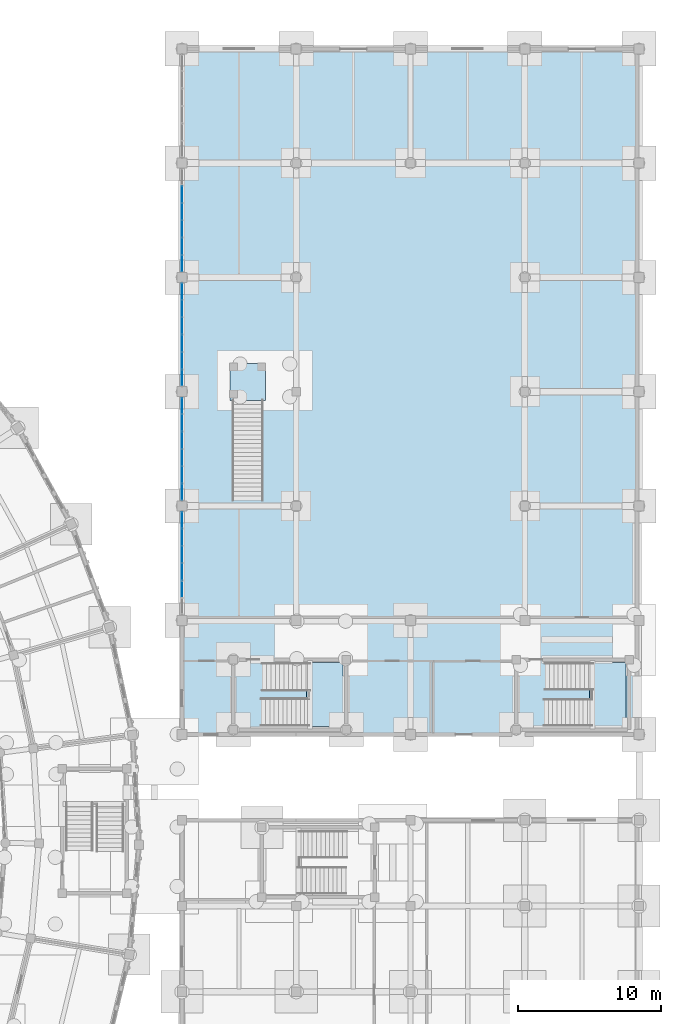
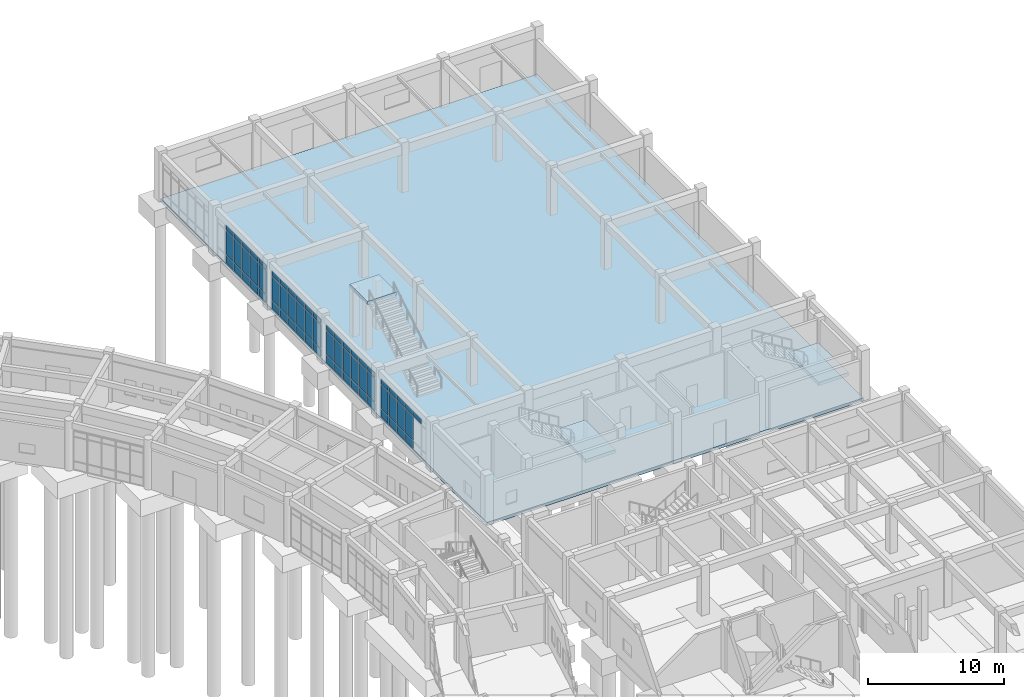
# One storey, part 113 of 153: 64 plates, 4 slabs, 7 elements without a shape of their own.
"""IFC4 building model written with IfcOpenShell, lengths in metres."""

from ifc_helpers import new_model, si_unit, direction, frame, origin, origin_2d, place, context, subcontext, project, spatial, polyline, rectangle, outline, extrude, material, layer, layer_set, type_object, element, aggregate, save


model = new_model("IFC4")

# Units and contexts
model_context = context("Model", 3, precision=1e-05, world=origin(), true_north=direction((0.0, 1.0)))
body_context = subcontext(model_context, "Body", "Model", "MODEL_VIEW")
ifc_project = project(units=[si_unit("LENGTHUNIT", "METRE"), si_unit("AREAUNIT", "SQUARE_METRE"), si_unit("VOLUMEUNIT", "CUBIC_METRE"), si_unit("PLANEANGLEUNIT", "RADIAN"), si_unit("MASSUNIT", "GRAM", prefix="KILO")], contexts=[model_context])

# Site, building, storey
site_placement = place(None, origin())
site = spatial("IfcSite", under=ifc_project, at=site_placement, CompositionType="ELEMENT")
building_placement = place(site_placement, origin())
building = spatial("IfcBuilding", under=site, at=building_placement, Name="Celadon Cloister-Ring School", CompositionType="ELEMENT")
storey_placement = place(building_placement, origin())
storey = spatial("IfcBuildingStorey", under=building, at=storey_placement, Name="L00", CompositionType="ELEMENT", Elevation=0.0)

# Curtain wall, plates
ifc_material_1 = material(Name="Aluminium EN AW-6063 T6", Category="aluminium")
curtain_wall_type = type_object("IfcCurtainWallType", Name="CW-07", PredefinedType="USERDEFINED", material=ifc_material_1)
curtain_wall_1_placement = place(storey_placement, origin())
curtain_wall_1 = element("IfcCurtainWall", 1, at=curtain_wall_1_placement, inside=storey, type_object=curtain_wall_type, Name="Curtain Wall 0175", ObjectType="CURTAIN WALL", PredefinedType="USERDEFINED")
ifc_material_2 = material(Name="Tempered laminated insulating glass", Category="glass")
ifc_layer_1 = layer(ifc_material_2, 0.02001953125)
ifc_layer_set_1 = layer_set([ifc_layer_1], Name="Tempered laminated insulating glass")
plate_type = type_object("IfcPlateType", Name="CPN-01", PredefinedType="CURTAIN_PANEL", material=ifc_layer_set_1)
plate_1_placement = place(storey_placement, frame((142.0, 76.175048828125, 3.044921875), z_axis=(0.0, 0.0, 1.0), x_axis=(0.0, 1.0, 0.0)))
plate_1 = element("IfcPlate", 2, at=plate_1_placement, type_object=plate_type, Name="CW-07 panel 2.3", PredefinedType="CURTAIN_PANEL", context=body_context, shape_type="SweptSolid", body=[
    extrude(rectangle(XDim=1.12158203125, YDim=0.02001953125, at=origin_2d()), origin(), (0.0, 0.0, 1.0), 0.4150390625),
])
plate_2_placement = place(storey_placement, frame((142.0, 77.3916015625, 0.090087890625), z_axis=(0.0, 0.0, 1.0), x_axis=(0.0, 1.0, 0.0)))
plate_2 = element("IfcPlate", 3, at=plate_2_placement, type_object=plate_type, Name="CW-07 panel 3.1", PredefinedType="CURTAIN_PANEL", context=body_context, shape_type="SweptSolid", body=[
    extrude(rectangle(XDim=1.12158203125, YDim=0.02001953125, at=origin_2d()), origin(), (0.0, 0.0, 1.0), 0.6650390625),
])
plate_3_placement = place(storey_placement, frame((142.0, 77.3916015625, 0.8447265625), z_axis=(0.0, 0.0, 1.0), x_axis=(0.0, 1.0, 0.0)))
plate_3 = element("IfcPlate", 4, at=plate_3_placement, type_object=plate_type, Name="CW-07 panel 3.2", PredefinedType="CURTAIN_PANEL", context=body_context, shape_type="SweptSolid", body=[
    extrude(rectangle(XDim=1.12158203125, YDim=0.02001953125, at=origin_2d()), origin(), (0.0, 0.0, 1.0), 2.110107421875),
])
plate_4_placement = place(storey_placement, frame((142.0, 77.3916015625, 3.044921875), z_axis=(0.0, 0.0, 1.0), x_axis=(0.0, 1.0, 0.0)))
plate_4 = element("IfcPlate", 5, at=plate_4_placement, type_object=plate_type, Name="CW-07 panel 3.3", PredefinedType="CURTAIN_PANEL", context=body_context, shape_type="SweptSolid", body=[
    extrude(rectangle(XDim=1.12158203125, YDim=0.02001953125, at=origin_2d()), origin(), (0.0, 0.0, 1.0), 0.4150390625),
])
plate_5_placement = place(storey_placement, frame((142.0, 78.6083984375, 0.090087890625), z_axis=(0.0, 0.0, 1.0), x_axis=(0.0, 1.0, 0.0)))
plate_5 = element("IfcPlate", 6, at=plate_5_placement, type_object=plate_type, Name="CW-07 panel 4.1", PredefinedType="CURTAIN_PANEL", context=body_context, shape_type="SweptSolid", body=[
    extrude(rectangle(XDim=1.12158203125, YDim=0.02001953125, at=origin_2d()), origin(), (0.0, 0.0, 1.0), 0.6650390625),
])
plate_6_placement = place(storey_placement, frame((142.0, 78.6083984375, 0.8447265625), z_axis=(0.0, 0.0, 1.0), x_axis=(0.0, 1.0, 0.0)))
plate_6 = element("IfcPlate", 7, at=plate_6_placement, type_object=plate_type, Name="CW-07 panel 4.2", PredefinedType="CURTAIN_PANEL", context=body_context, shape_type="SweptSolid", body=[
    extrude(rectangle(XDim=1.12158203125, YDim=0.02001953125, at=origin_2d()), origin(), (0.0, 0.0, 1.0), 2.110107421875),
])
plate_7_placement = place(storey_placement, frame((142.0, 78.6083984375, 3.044921875), z_axis=(0.0, 0.0, 1.0), x_axis=(0.0, 1.0, 0.0)))
plate_7 = element("IfcPlate", 8, at=plate_7_placement, type_object=plate_type, Name="CW-07 panel 4.3", PredefinedType="CURTAIN_PANEL", context=body_context, shape_type="SweptSolid", body=[
    extrude(rectangle(XDim=1.12158203125, YDim=0.02001953125, at=origin_2d()), origin(), (0.0, 0.0, 1.0), 0.4150390625),
])
plate_8_placement = place(storey_placement, frame((142.0, 79.824951171875, 0.090087890625), z_axis=(0.0, 0.0, 1.0), x_axis=(0.0, 1.0, 0.0)))
plate_8 = element("IfcPlate", 9, at=plate_8_placement, type_object=plate_type, Name="CW-07 panel 5.1", PredefinedType="CURTAIN_PANEL", context=body_context, shape_type="SweptSolid", body=[
    extrude(rectangle(XDim=1.12158203125, YDim=0.02001953125, at=origin_2d()), origin(), (0.0, 0.0, 1.0), 0.6650390625),
])
plate_9_placement = place(storey_placement, frame((142.0, 79.824951171875, 0.8447265625), z_axis=(0.0, 0.0, 1.0), x_axis=(0.0, 1.0, 0.0)))
plate_9 = element("IfcPlate", 10, at=plate_9_placement, type_object=plate_type, Name="CW-07 panel 5.2", PredefinedType="CURTAIN_PANEL", context=body_context, shape_type="SweptSolid", body=[
    extrude(rectangle(XDim=1.12158203125, YDim=0.02001953125, at=origin_2d()), origin(), (0.0, 0.0, 1.0), 2.110107421875),
])
plate_10_placement = place(storey_placement, frame((142.0, 79.824951171875, 3.044921875), z_axis=(0.0, 0.0, 1.0), x_axis=(0.0, 1.0, 0.0)))
plate_10 = element("IfcPlate", 11, at=plate_10_placement, type_object=plate_type, Name="CW-07 panel 5.3", PredefinedType="CURTAIN_PANEL", context=body_context, shape_type="SweptSolid", body=[
    extrude(rectangle(XDim=1.12158203125, YDim=0.02001953125, at=origin_2d()), origin(), (0.0, 0.0, 1.0), 0.4150390625),
])
plate_11_placement = place(storey_placement, frame((142.0, 81.017822265625, 0.090087890625), z_axis=(0.0, 0.0, 1.0), x_axis=(0.0, 1.0, 0.0)))
plate_11 = element("IfcPlate", 12, at=plate_11_placement, type_object=plate_type, Name="CW-07 panel 6.1", PredefinedType="CURTAIN_PANEL", context=body_context, shape_type="SweptSolid", body=[
    extrude(rectangle(XDim=1.07421875, YDim=0.02001953125, at=origin_2d()), origin(), (0.0, 0.0, 1.0), 0.6650390625),
])
plate_12_placement = place(storey_placement, frame((142.0, 81.017822265625, 0.8447265625), z_axis=(0.0, 0.0, 1.0), x_axis=(0.0, 1.0, 0.0)))
plate_12 = element("IfcPlate", 13, at=plate_12_placement, type_object=plate_type, Name="CW-07 panel 6.2", PredefinedType="CURTAIN_PANEL", context=body_context, shape_type="SweptSolid", body=[
    extrude(rectangle(XDim=1.07421875, YDim=0.02001953125, at=origin_2d()), origin(), (0.0, 0.0, 1.0), 2.110107421875),
])
plate_13_placement = place(storey_placement, frame((142.0, 81.017822265625, 3.044921875), z_axis=(0.0, 0.0, 1.0), x_axis=(0.0, 1.0, 0.0)))
plate_13 = element("IfcPlate", 14, at=plate_13_placement, type_object=plate_type, Name="CW-07 panel 6.3", PredefinedType="CURTAIN_PANEL", context=body_context, shape_type="SweptSolid", body=[
    extrude(rectangle(XDim=1.07421875, YDim=0.02001953125, at=origin_2d()), origin(), (0.0, 0.0, 1.0), 0.4150390625),
])
aggregate(curtain_wall_1, [plate_1, plate_2, plate_3, plate_4, plate_5, plate_6, plate_7, plate_8, plate_9, plate_10, plate_11, plate_12, plate_13])

curtain_wall_2_placement = place(storey_placement, origin())
curtain_wall_2 = element("IfcCurtainWall", 15, at=curtain_wall_2_placement, inside=storey, type_object=curtain_wall_type, Name="Curtain Wall 0176", ObjectType="CURTAIN WALL", PredefinedType="USERDEFINED")
plate_14_placement = place(storey_placement, frame((142.0, 82.982177734375, 0.090087890625), z_axis=(0.0, 0.0, 1.0), x_axis=(0.0, 1.0, 0.0)))
plate_14 = element("IfcPlate", 16, at=plate_14_placement, type_object=plate_type, Name="CW-07 panel 1.1", PredefinedType="CURTAIN_PANEL", context=body_context, shape_type="SweptSolid", body=[
    extrude(rectangle(XDim=1.07421875, YDim=0.02001953125, at=origin_2d()), origin(), (0.0, 0.0, 1.0), 0.6650390625),
])
plate_15_placement = place(storey_placement, frame((142.0, 82.982177734375, 0.8447265625), z_axis=(0.0, 0.0, 1.0), x_axis=(0.0, 1.0, 0.0)))
plate_15 = element("IfcPlate", 17, at=plate_15_placement, type_object=plate_type, Name="CW-07 panel 1.2", PredefinedType="CURTAIN_PANEL", context=body_context, shape_type="SweptSolid", body=[
    extrude(rectangle(XDim=1.07421875, YDim=0.02001953125, at=origin_2d()), origin(), (0.0, 0.0, 1.0), 2.110107421875),
])
plate_16_placement = place(storey_placement, frame((142.0, 82.982177734375, 3.044921875), z_axis=(0.0, 0.0, 1.0), x_axis=(0.0, 1.0, 0.0)))
plate_16 = element("IfcPlate", 18, at=plate_16_placement, type_object=plate_type, Name="CW-07 panel 1.3", PredefinedType="CURTAIN_PANEL", context=body_context, shape_type="SweptSolid", body=[
    extrude(rectangle(XDim=1.07421875, YDim=0.02001953125, at=origin_2d()), origin(), (0.0, 0.0, 1.0), 0.4150390625),
])
plate_17_placement = place(storey_placement, frame((142.0, 84.175048828125, 0.090087890625), z_axis=(0.0, 0.0, 1.0), x_axis=(0.0, 1.0, 0.0)))
plate_17 = element("IfcPlate", 19, at=plate_17_placement, type_object=plate_type, Name="CW-07 panel 2.1", PredefinedType="CURTAIN_PANEL", context=body_context, shape_type="SweptSolid", body=[
    extrude(rectangle(XDim=1.12158203125, YDim=0.02001953125, at=origin_2d()), origin(), (0.0, 0.0, 1.0), 0.6650390625),
])
plate_18_placement = place(storey_placement, frame((142.0, 84.175048828125, 0.8447265625), z_axis=(0.0, 0.0, 1.0), x_axis=(0.0, 1.0, 0.0)))
plate_18 = element("IfcPlate", 20, at=plate_18_placement, type_object=plate_type, Name="CW-07 panel 2.2", PredefinedType="CURTAIN_PANEL", context=body_context, shape_type="SweptSolid", body=[
    extrude(rectangle(XDim=1.12158203125, YDim=0.02001953125, at=origin_2d()), origin(), (0.0, 0.0, 1.0), 2.110107421875),
])
plate_19_placement = place(storey_placement, frame((142.0, 84.175048828125, 3.044921875), z_axis=(0.0, 0.0, 1.0), x_axis=(0.0, 1.0, 0.0)))
plate_19 = element("IfcPlate", 21, at=plate_19_placement, type_object=plate_type, Name="CW-07 panel 2.3", PredefinedType="CURTAIN_PANEL", context=body_context, shape_type="SweptSolid", body=[
    extrude(rectangle(XDim=1.12158203125, YDim=0.02001953125, at=origin_2d()), origin(), (0.0, 0.0, 1.0), 0.4150390625),
])
plate_20_placement = place(storey_placement, frame((142.0, 85.3916015625, 0.090087890625), z_axis=(0.0, 0.0, 1.0), x_axis=(0.0, 1.0, 0.0)))
plate_20 = element("IfcPlate", 22, at=plate_20_placement, type_object=plate_type, Name="CW-07 panel 3.1", PredefinedType="CURTAIN_PANEL", context=body_context, shape_type="SweptSolid", body=[
    extrude(rectangle(XDim=1.12158203125, YDim=0.02001953125, at=origin_2d()), origin(), (0.0, 0.0, 1.0), 0.6650390625),
])
plate_21_placement = place(storey_placement, frame((142.0, 85.3916015625, 0.8447265625), z_axis=(0.0, 0.0, 1.0), x_axis=(0.0, 1.0, 0.0)))
plate_21 = element("IfcPlate", 23, at=plate_21_placement, type_object=plate_type, Name="CW-07 panel 3.2", PredefinedType="CURTAIN_PANEL", context=body_context, shape_type="SweptSolid", body=[
    extrude(rectangle(XDim=1.12158203125, YDim=0.02001953125, at=origin_2d()), origin(), (0.0, 0.0, 1.0), 2.110107421875),
])
plate_22_placement = place(storey_placement, frame((142.0, 85.3916015625, 3.044921875), z_axis=(0.0, 0.0, 1.0), x_axis=(0.0, 1.0, 0.0)))
plate_22 = element("IfcPlate", 24, at=plate_22_placement, type_object=plate_type, Name="CW-07 panel 3.3", PredefinedType="CURTAIN_PANEL", context=body_context, shape_type="SweptSolid", body=[
    extrude(rectangle(XDim=1.12158203125, YDim=0.02001953125, at=origin_2d()), origin(), (0.0, 0.0, 1.0), 0.4150390625),
])
plate_23_placement = place(storey_placement, frame((142.0, 86.6083984375, 0.090087890625), z_axis=(0.0, 0.0, 1.0), x_axis=(0.0, 1.0, 0.0)))
plate_23 = element("IfcPlate", 25, at=plate_23_placement, type_object=plate_type, Name="CW-07 panel 4.1", PredefinedType="CURTAIN_PANEL", context=body_context, shape_type="SweptSolid", body=[
    extrude(rectangle(XDim=1.12158203125, YDim=0.02001953125, at=origin_2d()), origin(), (0.0, 0.0, 1.0), 0.6650390625),
])
plate_24_placement = place(storey_placement, frame((142.0, 86.6083984375, 0.8447265625), z_axis=(0.0, 0.0, 1.0), x_axis=(0.0, 1.0, 0.0)))
plate_24 = element("IfcPlate", 26, at=plate_24_placement, type_object=plate_type, Name="CW-07 panel 4.2", PredefinedType="CURTAIN_PANEL", context=body_context, shape_type="SweptSolid", body=[
    extrude(rectangle(XDim=1.12158203125, YDim=0.02001953125, at=origin_2d()), origin(), (0.0, 0.0, 1.0), 2.110107421875),
])
plate_25_placement = place(storey_placement, frame((142.0, 86.6083984375, 3.044921875), z_axis=(0.0, 0.0, 1.0), x_axis=(0.0, 1.0, 0.0)))
plate_25 = element("IfcPlate", 27, at=plate_25_placement, type_object=plate_type, Name="CW-07 panel 4.3", PredefinedType="CURTAIN_PANEL", context=body_context, shape_type="SweptSolid", body=[
    extrude(rectangle(XDim=1.12158203125, YDim=0.02001953125, at=origin_2d()), origin(), (0.0, 0.0, 1.0), 0.4150390625),
])
plate_26_placement = place(storey_placement, frame((142.0, 87.824951171875, 0.090087890625), z_axis=(0.0, 0.0, 1.0), x_axis=(0.0, 1.0, 0.0)))
plate_26 = element("IfcPlate", 28, at=plate_26_placement, type_object=plate_type, Name="CW-07 panel 5.1", PredefinedType="CURTAIN_PANEL", context=body_context, shape_type="SweptSolid", body=[
    extrude(rectangle(XDim=1.12158203125, YDim=0.02001953125, at=origin_2d()), origin(), (0.0, 0.0, 1.0), 0.6650390625),
])
plate_27_placement = place(storey_placement, frame((142.0, 87.824951171875, 0.8447265625), z_axis=(0.0, 0.0, 1.0), x_axis=(0.0, 1.0, 0.0)))
plate_27 = element("IfcPlate", 29, at=plate_27_placement, type_object=plate_type, Name="CW-07 panel 5.2", PredefinedType="CURTAIN_PANEL", context=body_context, shape_type="SweptSolid", body=[
    extrude(rectangle(XDim=1.12158203125, YDim=0.02001953125, at=origin_2d()), origin(), (0.0, 0.0, 1.0), 2.110107421875),
])
plate_28_placement = place(storey_placement, frame((142.0, 87.824951171875, 3.044921875), z_axis=(0.0, 0.0, 1.0), x_axis=(0.0, 1.0, 0.0)))
plate_28 = element("IfcPlate", 30, at=plate_28_placement, type_object=plate_type, Name="CW-07 panel 5.3", PredefinedType="CURTAIN_PANEL", context=body_context, shape_type="SweptSolid", body=[
    extrude(rectangle(XDim=1.12158203125, YDim=0.02001953125, at=origin_2d()), origin(), (0.0, 0.0, 1.0), 0.4150390625),
])
plate_29_placement = place(storey_placement, frame((142.0, 89.017822265625, 0.090087890625), z_axis=(0.0, 0.0, 1.0), x_axis=(0.0, 1.0, 0.0)))
plate_29 = element("IfcPlate", 31, at=plate_29_placement, type_object=plate_type, Name="CW-07 panel 6.1", PredefinedType="CURTAIN_PANEL", context=body_context, shape_type="SweptSolid", body=[
    extrude(rectangle(XDim=1.07421875, YDim=0.02001953125, at=origin_2d()), origin(), (0.0, 0.0, 1.0), 0.6650390625),
])
plate_30_placement = place(storey_placement, frame((142.0, 89.017822265625, 0.8447265625), z_axis=(0.0, 0.0, 1.0), x_axis=(0.0, 1.0, 0.0)))
plate_30 = element("IfcPlate", 32, at=plate_30_placement, type_object=plate_type, Name="CW-07 panel 6.2", PredefinedType="CURTAIN_PANEL", context=body_context, shape_type="SweptSolid", body=[
    extrude(rectangle(XDim=1.07421875, YDim=0.02001953125, at=origin_2d()), origin(), (0.0, 0.0, 1.0), 2.110107421875),
])
plate_31_placement = place(storey_placement, frame((142.0, 89.017822265625, 3.044921875), z_axis=(0.0, 0.0, 1.0), x_axis=(0.0, 1.0, 0.0)))
plate_31 = element("IfcPlate", 33, at=plate_31_placement, type_object=plate_type, Name="CW-07 panel 6.3", PredefinedType="CURTAIN_PANEL", context=body_context, shape_type="SweptSolid", body=[
    extrude(rectangle(XDim=1.07421875, YDim=0.02001953125, at=origin_2d()), origin(), (0.0, 0.0, 1.0), 0.4150390625),
])
aggregate(curtain_wall_2, [plate_14, plate_15, plate_16, plate_17, plate_18, plate_19, plate_20, plate_21, plate_22, plate_23, plate_24, plate_25, plate_26, plate_27, plate_28, plate_29, plate_30, plate_31])

curtain_wall_3_placement = place(storey_placement, origin())
curtain_wall_3 = element("IfcCurtainWall", 34, at=curtain_wall_3_placement, inside=storey, type_object=curtain_wall_type, Name="Curtain Wall 0177", ObjectType="CURTAIN WALL", PredefinedType="USERDEFINED")
plate_32_placement = place(storey_placement, frame((142.0, 90.982177734375, 0.090087890625), z_axis=(0.0, 0.0, 1.0), x_axis=(0.0, 1.0, 0.0)))
plate_32 = element("IfcPlate", 35, at=plate_32_placement, type_object=plate_type, Name="CW-07 panel 1.1", PredefinedType="CURTAIN_PANEL", context=body_context, shape_type="SweptSolid", body=[
    extrude(rectangle(XDim=1.07421875, YDim=0.02001953125, at=origin_2d()), origin(), (0.0, 0.0, 1.0), 0.6650390625),
])
plate_33_placement = place(storey_placement, frame((142.0, 90.982177734375, 0.8447265625), z_axis=(0.0, 0.0, 1.0), x_axis=(0.0, 1.0, 0.0)))
plate_33 = element("IfcPlate", 36, at=plate_33_placement, type_object=plate_type, Name="CW-07 panel 1.2", PredefinedType="CURTAIN_PANEL", context=body_context, shape_type="SweptSolid", body=[
    extrude(rectangle(XDim=1.07421875, YDim=0.02001953125, at=origin_2d()), origin(), (0.0, 0.0, 1.0), 2.110107421875),
])
plate_34_placement = place(storey_placement, frame((142.0, 90.982177734375, 3.044921875), z_axis=(0.0, 0.0, 1.0), x_axis=(0.0, 1.0, 0.0)))
plate_34 = element("IfcPlate", 37, at=plate_34_placement, type_object=plate_type, Name="CW-07 panel 1.3", PredefinedType="CURTAIN_PANEL", context=body_context, shape_type="SweptSolid", body=[
    extrude(rectangle(XDim=1.07421875, YDim=0.02001953125, at=origin_2d()), origin(), (0.0, 0.0, 1.0), 0.4150390625),
])
plate_35_placement = place(storey_placement, frame((142.0, 92.175048828125, 0.090087890625), z_axis=(0.0, 0.0, 1.0), x_axis=(0.0, 1.0, 0.0)))
plate_35 = element("IfcPlate", 38, at=plate_35_placement, type_object=plate_type, Name="CW-07 panel 2.1", PredefinedType="CURTAIN_PANEL", context=body_context, shape_type="SweptSolid", body=[
    extrude(rectangle(XDim=1.12158203125, YDim=0.02001953125, at=origin_2d()), origin(), (0.0, 0.0, 1.0), 0.6650390625),
])
plate_36_placement = place(storey_placement, frame((142.0, 92.175048828125, 0.8447265625), z_axis=(0.0, 0.0, 1.0), x_axis=(0.0, 1.0, 0.0)))
plate_36 = element("IfcPlate", 39, at=plate_36_placement, type_object=plate_type, Name="CW-07 panel 2.2", PredefinedType="CURTAIN_PANEL", context=body_context, shape_type="SweptSolid", body=[
    extrude(rectangle(XDim=1.12158203125, YDim=0.02001953125, at=origin_2d()), origin(), (0.0, 0.0, 1.0), 2.110107421875),
])
plate_37_placement = place(storey_placement, frame((142.0, 92.175048828125, 3.044921875), z_axis=(0.0, 0.0, 1.0), x_axis=(0.0, 1.0, 0.0)))
plate_37 = element("IfcPlate", 40, at=plate_37_placement, type_object=plate_type, Name="CW-07 panel 2.3", PredefinedType="CURTAIN_PANEL", context=body_context, shape_type="SweptSolid", body=[
    extrude(rectangle(XDim=1.12158203125, YDim=0.02001953125, at=origin_2d()), origin(), (0.0, 0.0, 1.0), 0.4150390625),
])
plate_38_placement = place(storey_placement, frame((142.0, 93.3916015625, 0.090087890625), z_axis=(0.0, 0.0, 1.0), x_axis=(0.0, 1.0, 0.0)))
plate_38 = element("IfcPlate", 41, at=plate_38_placement, type_object=plate_type, Name="CW-07 panel 3.1", PredefinedType="CURTAIN_PANEL", context=body_context, shape_type="SweptSolid", body=[
    extrude(rectangle(XDim=1.12158203125, YDim=0.02001953125, at=origin_2d()), origin(), (0.0, 0.0, 1.0), 0.6650390625),
])
plate_39_placement = place(storey_placement, frame((142.0, 93.3916015625, 0.8447265625), z_axis=(0.0, 0.0, 1.0), x_axis=(0.0, 1.0, 0.0)))
plate_39 = element("IfcPlate", 42, at=plate_39_placement, type_object=plate_type, Name="CW-07 panel 3.2", PredefinedType="CURTAIN_PANEL", context=body_context, shape_type="SweptSolid", body=[
    extrude(rectangle(XDim=1.12158203125, YDim=0.02001953125, at=origin_2d()), origin(), (0.0, 0.0, 1.0), 2.110107421875),
])
plate_40_placement = place(storey_placement, frame((142.0, 93.3916015625, 3.044921875), z_axis=(0.0, 0.0, 1.0), x_axis=(0.0, 1.0, 0.0)))
plate_40 = element("IfcPlate", 43, at=plate_40_placement, type_object=plate_type, Name="CW-07 panel 3.3", PredefinedType="CURTAIN_PANEL", context=body_context, shape_type="SweptSolid", body=[
    extrude(rectangle(XDim=1.12158203125, YDim=0.02001953125, at=origin_2d()), origin(), (0.0, 0.0, 1.0), 0.4150390625),
])
plate_41_placement = place(storey_placement, frame((142.0, 94.6083984375, 0.090087890625), z_axis=(0.0, 0.0, 1.0), x_axis=(0.0, 1.0, 0.0)))
plate_41 = element("IfcPlate", 44, at=plate_41_placement, type_object=plate_type, Name="CW-07 panel 4.1", PredefinedType="CURTAIN_PANEL", context=body_context, shape_type="SweptSolid", body=[
    extrude(rectangle(XDim=1.12158203125, YDim=0.02001953125, at=origin_2d()), origin(), (0.0, 0.0, 1.0), 0.6650390625),
])
plate_42_placement = place(storey_placement, frame((142.0, 94.6083984375, 0.8447265625), z_axis=(0.0, 0.0, 1.0), x_axis=(0.0, 1.0, 0.0)))
plate_42 = element("IfcPlate", 45, at=plate_42_placement, type_object=plate_type, Name="CW-07 panel 4.2", PredefinedType="CURTAIN_PANEL", context=body_context, shape_type="SweptSolid", body=[
    extrude(rectangle(XDim=1.12158203125, YDim=0.02001953125, at=origin_2d()), origin(), (0.0, 0.0, 1.0), 2.110107421875),
])
plate_43_placement = place(storey_placement, frame((142.0, 94.6083984375, 3.044921875), z_axis=(0.0, 0.0, 1.0), x_axis=(0.0, 1.0, 0.0)))
plate_43 = element("IfcPlate", 46, at=plate_43_placement, type_object=plate_type, Name="CW-07 panel 4.3", PredefinedType="CURTAIN_PANEL", context=body_context, shape_type="SweptSolid", body=[
    extrude(rectangle(XDim=1.12158203125, YDim=0.02001953125, at=origin_2d()), origin(), (0.0, 0.0, 1.0), 0.4150390625),
])
plate_44_placement = place(storey_placement, frame((142.0, 95.824951171875, 0.090087890625), z_axis=(0.0, 0.0, 1.0), x_axis=(0.0, 1.0, 0.0)))
plate_44 = element("IfcPlate", 47, at=plate_44_placement, type_object=plate_type, Name="CW-07 panel 5.1", PredefinedType="CURTAIN_PANEL", context=body_context, shape_type="SweptSolid", body=[
    extrude(rectangle(XDim=1.12158203125, YDim=0.02001953125, at=origin_2d()), origin(), (0.0, 0.0, 1.0), 0.6650390625),
])
plate_45_placement = place(storey_placement, frame((142.0, 95.824951171875, 0.8447265625), z_axis=(0.0, 0.0, 1.0), x_axis=(0.0, 1.0, 0.0)))
plate_45 = element("IfcPlate", 48, at=plate_45_placement, type_object=plate_type, Name="CW-07 panel 5.2", PredefinedType="CURTAIN_PANEL", context=body_context, shape_type="SweptSolid", body=[
    extrude(rectangle(XDim=1.12158203125, YDim=0.02001953125, at=origin_2d()), origin(), (0.0, 0.0, 1.0), 2.110107421875),
])
plate_46_placement = place(storey_placement, frame((142.0, 95.824951171875, 3.044921875), z_axis=(0.0, 0.0, 1.0), x_axis=(0.0, 1.0, 0.0)))
plate_46 = element("IfcPlate", 49, at=plate_46_placement, type_object=plate_type, Name="CW-07 panel 5.3", PredefinedType="CURTAIN_PANEL", context=body_context, shape_type="SweptSolid", body=[
    extrude(rectangle(XDim=1.12158203125, YDim=0.02001953125, at=origin_2d()), origin(), (0.0, 0.0, 1.0), 0.4150390625),
])
plate_47_placement = place(storey_placement, frame((142.0, 97.017822265625, 0.090087890625), z_axis=(0.0, 0.0, 1.0), x_axis=(0.0, 1.0, 0.0)))
plate_47 = element("IfcPlate", 50, at=plate_47_placement, type_object=plate_type, Name="CW-07 panel 6.1", PredefinedType="CURTAIN_PANEL", context=body_context, shape_type="SweptSolid", body=[
    extrude(rectangle(XDim=1.07421875, YDim=0.02001953125, at=origin_2d()), origin(), (0.0, 0.0, 1.0), 0.6650390625),
])
plate_48_placement = place(storey_placement, frame((142.0, 97.017822265625, 0.8447265625), z_axis=(0.0, 0.0, 1.0), x_axis=(0.0, 1.0, 0.0)))
plate_48 = element("IfcPlate", 51, at=plate_48_placement, type_object=plate_type, Name="CW-07 panel 6.2", PredefinedType="CURTAIN_PANEL", context=body_context, shape_type="SweptSolid", body=[
    extrude(rectangle(XDim=1.07421875, YDim=0.02001953125, at=origin_2d()), origin(), (0.0, 0.0, 1.0), 2.110107421875),
])
plate_49_placement = place(storey_placement, frame((142.0, 97.017822265625, 3.044921875), z_axis=(0.0, 0.0, 1.0), x_axis=(0.0, 1.0, 0.0)))
plate_49 = element("IfcPlate", 52, at=plate_49_placement, type_object=plate_type, Name="CW-07 panel 6.3", PredefinedType="CURTAIN_PANEL", context=body_context, shape_type="SweptSolid", body=[
    extrude(rectangle(XDim=1.07421875, YDim=0.02001953125, at=origin_2d()), origin(), (0.0, 0.0, 1.0), 0.4150390625),
])
aggregate(curtain_wall_3, [plate_32, plate_33, plate_34, plate_35, plate_36, plate_37, plate_38, plate_39, plate_40, plate_41, plate_42, plate_43, plate_44, plate_45, plate_46, plate_47, plate_48, plate_49])

curtain_wall_4_placement = place(storey_placement, origin())
curtain_wall_4 = element("IfcCurtainWall", 53, at=curtain_wall_4_placement, inside=storey, type_object=curtain_wall_type, Name="Curtain Wall 0178", ObjectType="CURTAIN WALL", PredefinedType="USERDEFINED")
plate_50_placement = place(storey_placement, frame((142.0, 98.982177734375, 0.090087890625), z_axis=(0.0, 0.0, 1.0), x_axis=(0.0, 1.0, 0.0)))
plate_50 = element("IfcPlate", 54, at=plate_50_placement, type_object=plate_type, Name="CW-07 panel 1.1", PredefinedType="CURTAIN_PANEL", context=body_context, shape_type="SweptSolid", body=[
    extrude(rectangle(XDim=1.07421875, YDim=0.02001953125, at=origin_2d()), origin(), (0.0, 0.0, 1.0), 0.6650390625),
])
plate_51_placement = place(storey_placement, frame((142.0, 98.982177734375, 0.8447265625), z_axis=(0.0, 0.0, 1.0), x_axis=(0.0, 1.0, 0.0)))
plate_51 = element("IfcPlate", 55, at=plate_51_placement, type_object=plate_type, Name="CW-07 panel 1.2", PredefinedType="CURTAIN_PANEL", context=body_context, shape_type="SweptSolid", body=[
    extrude(rectangle(XDim=1.07421875, YDim=0.02001953125, at=origin_2d()), origin(), (0.0, 0.0, 1.0), 2.110107421875),
])
plate_52_placement = place(storey_placement, frame((142.0, 98.982177734375, 3.044921875), z_axis=(0.0, 0.0, 1.0), x_axis=(0.0, 1.0, 0.0)))
plate_52 = element("IfcPlate", 56, at=plate_52_placement, type_object=plate_type, Name="CW-07 panel 1.3", PredefinedType="CURTAIN_PANEL", context=body_context, shape_type="SweptSolid", body=[
    extrude(rectangle(XDim=1.07421875, YDim=0.02001953125, at=origin_2d()), origin(), (0.0, 0.0, 1.0), 0.4150390625),
])
plate_53_placement = place(storey_placement, frame((142.0, 100.175048828125, 0.090087890625), z_axis=(0.0, 0.0, 1.0), x_axis=(0.0, 1.0, 0.0)))
plate_53 = element("IfcPlate", 57, at=plate_53_placement, type_object=plate_type, Name="CW-07 panel 2.1", PredefinedType="CURTAIN_PANEL", context=body_context, shape_type="SweptSolid", body=[
    extrude(rectangle(XDim=1.12158203125, YDim=0.02001953125, at=origin_2d()), origin(), (0.0, 0.0, 1.0), 0.6650390625),
])
plate_54_placement = place(storey_placement, frame((142.0, 100.175048828125, 0.8447265625), z_axis=(0.0, 0.0, 1.0), x_axis=(0.0, 1.0, 0.0)))
plate_54 = element("IfcPlate", 58, at=plate_54_placement, type_object=plate_type, Name="CW-07 panel 2.2", PredefinedType="CURTAIN_PANEL", context=body_context, shape_type="SweptSolid", body=[
    extrude(rectangle(XDim=1.12158203125, YDim=0.02001953125, at=origin_2d()), origin(), (0.0, 0.0, 1.0), 2.110107421875),
])
plate_55_placement = place(storey_placement, frame((142.0, 100.175048828125, 3.044921875), z_axis=(0.0, 0.0, 1.0), x_axis=(0.0, 1.0, 0.0)))
plate_55 = element("IfcPlate", 59, at=plate_55_placement, type_object=plate_type, Name="CW-07 panel 2.3", PredefinedType="CURTAIN_PANEL", context=body_context, shape_type="SweptSolid", body=[
    extrude(rectangle(XDim=1.12158203125, YDim=0.02001953125, at=origin_2d()), origin(), (0.0, 0.0, 1.0), 0.4150390625),
])
plate_56_placement = place(storey_placement, frame((142.0, 101.3916015625, 0.090087890625), z_axis=(0.0, 0.0, 1.0), x_axis=(0.0, 1.0, 0.0)))
plate_56 = element("IfcPlate", 60, at=plate_56_placement, type_object=plate_type, Name="CW-07 panel 3.1", PredefinedType="CURTAIN_PANEL", context=body_context, shape_type="SweptSolid", body=[
    extrude(rectangle(XDim=1.12158203125, YDim=0.02001953125, at=origin_2d()), origin(), (0.0, 0.0, 1.0), 0.6650390625),
])
plate_57_placement = place(storey_placement, frame((142.0, 101.3916015625, 0.8447265625), z_axis=(0.0, 0.0, 1.0), x_axis=(0.0, 1.0, 0.0)))
plate_57 = element("IfcPlate", 61, at=plate_57_placement, type_object=plate_type, Name="CW-07 panel 3.2", PredefinedType="CURTAIN_PANEL", context=body_context, shape_type="SweptSolid", body=[
    extrude(rectangle(XDim=1.12158203125, YDim=0.02001953125, at=origin_2d()), origin(), (0.0, 0.0, 1.0), 2.110107421875),
])
plate_58_placement = place(storey_placement, frame((142.0, 101.3916015625, 3.044921875), z_axis=(0.0, 0.0, 1.0), x_axis=(0.0, 1.0, 0.0)))
plate_58 = element("IfcPlate", 62, at=plate_58_placement, type_object=plate_type, Name="CW-07 panel 3.3", PredefinedType="CURTAIN_PANEL", context=body_context, shape_type="SweptSolid", body=[
    extrude(rectangle(XDim=1.12158203125, YDim=0.02001953125, at=origin_2d()), origin(), (0.0, 0.0, 1.0), 0.4150390625),
])
plate_59_placement = place(storey_placement, frame((142.0, 102.6083984375, 0.090087890625), z_axis=(0.0, 0.0, 1.0), x_axis=(0.0, 1.0, 0.0)))
plate_59 = element("IfcPlate", 63, at=plate_59_placement, type_object=plate_type, Name="CW-07 panel 4.1", PredefinedType="CURTAIN_PANEL", context=body_context, shape_type="SweptSolid", body=[
    extrude(rectangle(XDim=1.12158203125, YDim=0.02001953125, at=origin_2d()), origin(), (0.0, 0.0, 1.0), 0.6650390625),
])
plate_60_placement = place(storey_placement, frame((142.0, 102.6083984375, 0.8447265625), z_axis=(0.0, 0.0, 1.0), x_axis=(0.0, 1.0, 0.0)))
plate_60 = element("IfcPlate", 64, at=plate_60_placement, type_object=plate_type, Name="CW-07 panel 4.2", PredefinedType="CURTAIN_PANEL", context=body_context, shape_type="SweptSolid", body=[
    extrude(rectangle(XDim=1.12158203125, YDim=0.02001953125, at=origin_2d()), origin(), (0.0, 0.0, 1.0), 2.110107421875),
])
plate_61_placement = place(storey_placement, frame((142.0, 102.6083984375, 3.044921875), z_axis=(0.0, 0.0, 1.0), x_axis=(0.0, 1.0, 0.0)))
plate_61 = element("IfcPlate", 65, at=plate_61_placement, type_object=plate_type, Name="CW-07 panel 4.3", PredefinedType="CURTAIN_PANEL", context=body_context, shape_type="SweptSolid", body=[
    extrude(rectangle(XDim=1.12158203125, YDim=0.02001953125, at=origin_2d()), origin(), (0.0, 0.0, 1.0), 0.4150390625),
])
plate_62_placement = place(storey_placement, frame((142.0, 103.824951171875, 0.090087890625), z_axis=(0.0, 0.0, 1.0), x_axis=(0.0, 1.0, 0.0)))
plate_62 = element("IfcPlate", 66, at=plate_62_placement, type_object=plate_type, Name="CW-07 panel 5.1", PredefinedType="CURTAIN_PANEL", context=body_context, shape_type="SweptSolid", body=[
    extrude(rectangle(XDim=1.12158203125, YDim=0.02001953125, at=origin_2d()), origin(), (0.0, 0.0, 1.0), 0.6650390625),
])
plate_63_placement = place(storey_placement, frame((142.0, 103.824951171875, 0.8447265625), z_axis=(0.0, 0.0, 1.0), x_axis=(0.0, 1.0, 0.0)))
plate_63 = element("IfcPlate", 67, at=plate_63_placement, type_object=plate_type, Name="CW-07 panel 5.2", PredefinedType="CURTAIN_PANEL", context=body_context, shape_type="SweptSolid", body=[
    extrude(rectangle(XDim=1.12158203125, YDim=0.02001953125, at=origin_2d()), origin(), (0.0, 0.0, 1.0), 2.110107421875),
])
plate_64_placement = place(storey_placement, frame((142.0, 103.824951171875, 3.044921875), z_axis=(0.0, 0.0, 1.0), x_axis=(0.0, 1.0, 0.0)))
plate_64 = element("IfcPlate", 68, at=plate_64_placement, type_object=plate_type, Name="CW-07 panel 5.3", PredefinedType="CURTAIN_PANEL", context=body_context, shape_type="SweptSolid", body=[
    extrude(rectangle(XDim=1.12158203125, YDim=0.02001953125, at=origin_2d()), origin(), (0.0, 0.0, 1.0), 0.4150390625),
])
aggregate(curtain_wall_4, [plate_50, plate_51, plate_52, plate_53, plate_54, plate_55, plate_56, plate_57, plate_58, plate_59, plate_60, plate_61, plate_62, plate_63, plate_64])

# Slab
ifc_material_3 = material(Name="Concrete C35/45", Category="concrete")
ifc_layer_2 = layer(ifc_material_3, 0.280029296875)
ifc_layer_set_2 = layer_set([ifc_layer_2], Name="Concrete C35/45")
slab_type_1 = type_object("IfcSlabType", Name="SL-BS2", PredefinedType="BASESLAB", material=ifc_layer_set_2)
slab_1_placement = place(storey_placement, frame((0.0, 0.0, -0.280029296875)))
element("IfcSlab", 69, at=slab_1_placement, inside=storey, type_object=slab_type_1, Name="Sports Hall Ground Slab 0061", PredefinedType="BASESLAB", context=body_context, shape_type="SweptSolid", body=[
    extrude(outline(polyline([(142.0, 66.0), (174.0, 66.0), (174.0, 114.0), (142.0, 114.0), (142.0, 66.0)])), origin(), (0.0, 0.0, 1.0), 0.280029296875),
])

# Stair, slab
ifc_material_4 = material(Name="Concrete C35/45", Category="concrete")
stair_type_1 = type_object("IfcStairType", Name="ST-01", PredefinedType="HALF_TURN_STAIR", material=ifc_material_4)
stair_1_placement = place(storey_placement, origin())
stair_1 = element("IfcStair", 70, at=stair_1_placement, inside=storey, type_object=stair_type_1, Name="Exit Stair ST-V2A L00", PredefinedType="HALF_TURN_STAIR")
ifc_material_5 = material(Name="Concrete C35/45", Category="concrete")
ifc_layer_3 = layer(ifc_material_5, 0.280029296875)
ifc_layer_set_3 = layer_set([ifc_layer_3], Name="Concrete C35/45")
slab_type_2 = type_object("IfcSlabType", Name="SL-LD1", PredefinedType="LANDING", material=ifc_layer_set_3)
slab_2_placement = place(storey_placement, frame((0.0, 0.0, 1.969970703125)))
slab_2 = element("IfcSlab", 71, at=slab_2_placement, type_object=slab_type_2, Name="ST-01 landing 1", PredefinedType="LANDING", context=body_context, shape_type="SweptSolid", body=[
    extrude(outline(polyline([(150.735107421875, 66.570068359375), (153.280029296875, 66.570068359375), (153.280029296875, 71.030029296875), (150.735107421875, 71.030029296875), (150.735107421875, 66.570068359375)])), origin(), (0.0, 0.0, 1.0), 0.280029296875),
])
aggregate(stair_1, [slab_2])

ifc_material_6 = material(Name="Concrete C35/45", Category="concrete")
stair_type_2 = type_object("IfcStairType", Name="ST-03", PredefinedType="HALF_TURN_STAIR", material=ifc_material_6)
stair_2_placement = place(storey_placement, origin())
stair_2 = element("IfcStair", 72, at=stair_2_placement, inside=storey, type_object=stair_type_2, Name="Exit Stair ST-V2B L00", PredefinedType="HALF_TURN_STAIR")
ifc_material_7 = material(Name="Concrete C35/45", Category="concrete")
ifc_layer_4 = layer(ifc_material_7, 0.300048828125)
ifc_layer_set_4 = layer_set([ifc_layer_4], Name="Concrete C35/45")
slab_type_3 = type_object("IfcSlabType", Name="SL-LD2", PredefinedType="LANDING", material=ifc_layer_set_4)
slab_3_placement = place(storey_placement, frame((0.0, 0.0, 1.949951171875)))
slab_3 = element("IfcSlab", 73, at=slab_3_placement, type_object=slab_type_3, Name="ST-03 landing 1", PredefinedType="LANDING", context=body_context, shape_type="SweptSolid", body=[
    extrude(outline(polyline([(170.534912109375, 66.570068359375), (173.080078125, 66.570068359375), (173.080078125, 71.030029296875), (170.534912109375, 71.030029296875), (170.534912109375, 66.570068359375)])), origin(), (0.0, 0.0, 1.0), 0.300048828125),
])
aggregate(stair_2, [slab_3])

ifc_material_8 = material(Name="Concrete C35/45", Category="concrete")
stair_type_3 = type_object("IfcStairType", Name="ST-05", PredefinedType="STRAIGHT_RUN_STAIR", material=ifc_material_8)
stair_3_placement = place(storey_placement, origin())
stair_3 = element("IfcStair", 74, at=stair_3_placement, inside=storey, type_object=stair_type_3, Name="Sports Gallery Feature Stair", PredefinedType="STRAIGHT_RUN_STAIR")
slab_4_placement = place(storey_placement, frame((0.0, 0.0, 4.199951171875)))
slab_4 = element("IfcSlab", 75, at=slab_4_placement, type_object=slab_type_3, Name="ST-05 landing 1", PredefinedType="LANDING", context=body_context, shape_type="SweptSolid", body=[
    extrude(outline(polyline([(145.360107421875, 89.375), (147.840087890625, 89.375), (147.840087890625, 91.989990234375), (145.360107421875, 91.989990234375), (145.360107421875, 89.375)])), origin(), (0.0, 0.0, 1.0), 0.300048828125),
])
aggregate(stair_3, [slab_4])

save(model, "model.ifc")
